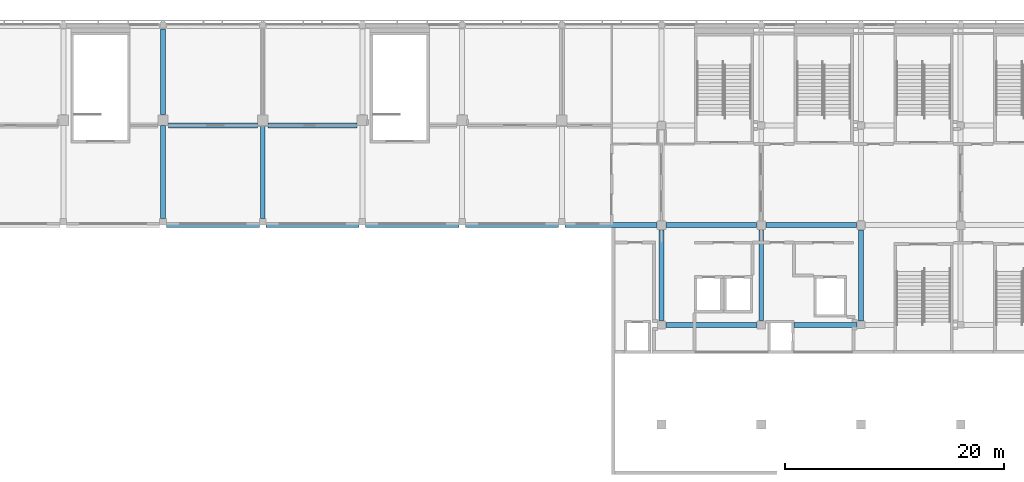
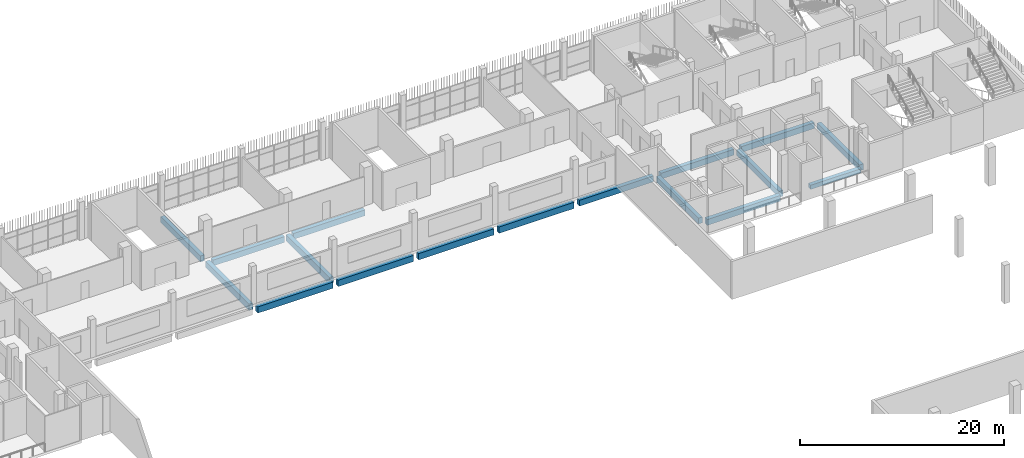
# One storey, part 29 of 104: 17 beams.
"""IFC4 building model written with IfcOpenShell, lengths in metres."""

from ifc_helpers import new_model, si_unit, direction, frame, origin, origin_2d, place, context, subcontext, project, spatial, rectangle, extrude, material, material_profile, profile_set, type_object, element, save


model = new_model("IFC4")

# Units and contexts
model_context = context("Model", 3, precision=1e-05, world=origin(), true_north=direction((0.0, 1.0)))
body_context = subcontext(model_context, "Body", "Model", "MODEL_VIEW")
ifc_project = project(units=[si_unit("LENGTHUNIT", "METRE"), si_unit("AREAUNIT", "SQUARE_METRE"), si_unit("VOLUMEUNIT", "CUBIC_METRE"), si_unit("PLANEANGLEUNIT", "RADIAN"), si_unit("MASSUNIT", "GRAM", prefix="KILO")], contexts=[model_context])

# Site, building, storey
site_placement = place(None, origin())
site = spatial("IfcSite", under=ifc_project, at=site_placement, CompositionType="ELEMENT")
building_placement = place(site_placement, origin())
building = spatial("IfcBuilding", under=site, at=building_placement, Name="Shirokan Park Arena", CompositionType="ELEMENT")
storey_placement = place(building_placement, frame((0.0, 0.0, 10.919921875)))
storey = spatial("IfcBuildingStorey", under=building, at=storey_placement, Name="L02", CompositionType="ELEMENT", Elevation=10.919921875)

# Beams
ifc_material = material(Name="Concrete C35", Category="concrete")
ifc_material_profile_1 = material_profile(ifc_material, rectangle(XDim=0.449951171875, YDim=0.5, at=origin_2d()), Name="450x500")
ifc_profile_set_1 = profile_set([ifc_material_profile_1], Name="Concrete C35")
beam_type_1 = type_object("IfcBeamType", Name="RC girder 450x500", PredefinedType="BEAM", material=ifc_profile_set_1)
beam_1_placement = place(storey_placement, frame((121.300048828125, 81.89990234375, -0.5498046875), z_axis=(1.0, 0.0, 0.0), x_axis=(0.0, 1.0, 0.0)))
element("IfcBeam", 1, at=beam_1_placement, inside=storey, type_object=beam_type_1, Name="Girder 14K-15K L02", PredefinedType="BEAM", context=body_context, shape_type="SweptSolid", body=[
    extrude(rectangle(XDim=0.449951171875, YDim=0.5, at=origin_2d()), origin(), (0.0, 0.0, 1.0), 5.724853515625),
])
ifc_material_profile_2 = material_profile(ifc_material, rectangle(XDim=0.449951171875, YDim=0.699951171875, at=origin_2d()), Name="450x700")
ifc_profile_set_2 = profile_set([ifc_material_profile_2], Name="Concrete C35")
beam_type_2 = type_object("IfcBeamType", Name="RC girder 450x700", PredefinedType="BEAM", material=ifc_profile_set_2)
beam_2_placement = place(storey_placement, frame((64.2001953125, 100.10009765625, -0.64990234375), z_axis=(1.0, 0.0, 0.0), x_axis=(0.0, 1.0, 0.0)))
element("IfcBeam", 2, at=beam_2_placement, inside=storey, type_object=beam_type_2, Name="Girder 8M-9M L02", PredefinedType="BEAM", context=body_context, shape_type="SweptSolid", body=[
    extrude(rectangle(XDim=0.449951171875, YDim=0.699951171875, at=origin_2d()), origin(), (0.0, 0.0, 1.0), 8.099609375),
])
beam_3_placement = place(storey_placement, frame((73.300048828125, 100.10009765625, -0.64990234375), z_axis=(1.0, 0.0, 0.0), x_axis=(0.0, 1.0, 0.0)))
element("IfcBeam", 3, at=beam_3_placement, inside=storey, type_object=beam_type_2, Name="Girder 9M-10M L02", PredefinedType="BEAM", context=body_context, shape_type="SweptSolid", body=[
    extrude(rectangle(XDim=0.449951171875, YDim=0.699951171875, at=origin_2d()), origin(), (0.0, 0.0, 1.0), 8.099853515625),
])
beam_4_placement = place(storey_placement, frame((100.400146484375, 91.0, -0.64990234375), z_axis=(1.0, 0.0, 0.0), x_axis=(0.0, 1.0, 0.0)))
element("IfcBeam", 4, at=beam_4_placement, inside=storey, type_object=beam_type_2, Name="Girder 12L-13L L02", PredefinedType="BEAM", context=body_context, shape_type="SweptSolid", body=[
    extrude(rectangle(XDim=0.449951171875, YDim=0.699951171875, at=origin_2d()), origin(), (0.0, 0.0, 1.0), 8.374755859375),
])
beam_5_placement = place(storey_placement, frame((109.60009765625, 81.89990234375, -0.64990234375), z_axis=(1.0, 0.0, 0.0), x_axis=(0.0, 1.0, 0.0)))
element("IfcBeam", 5, at=beam_5_placement, inside=storey, type_object=beam_type_2, Name="Girder 13K-14K L02", PredefinedType="BEAM", context=body_context, shape_type="SweptSolid", body=[
    extrude(rectangle(XDim=0.449951171875, YDim=0.699951171875, at=origin_2d()), origin(), (0.0, 0.0, 1.0), 8.2998046875),
])
beam_6_placement = place(storey_placement, frame((109.625, 91.0, -0.64990234375), z_axis=(1.0, 0.0, 0.0), x_axis=(0.0, 1.0, 0.0)))
element("IfcBeam", 6, at=beam_6_placement, inside=storey, type_object=beam_type_2, Name="Girder 13L-14L L02", PredefinedType="BEAM", context=body_context, shape_type="SweptSolid", body=[
    extrude(rectangle(XDim=0.449951171875, YDim=0.699951171875, at=origin_2d()), origin(), (0.0, 0.0, 1.0), 8.25),
])
beam_7_placement = place(storey_placement, frame((118.72509765625, 91.0, -0.64990234375), z_axis=(1.0, 0.0, 0.0), x_axis=(0.0, 1.0, 0.0)))
element("IfcBeam", 7, at=beam_7_placement, inside=storey, type_object=beam_type_2, Name="Girder 14L-15L L02", PredefinedType="BEAM", context=body_context, shape_type="SweptSolid", body=[
    extrude(rectangle(XDim=0.449951171875, YDim=0.699951171875, at=origin_2d()), origin(), (0.0, 0.0, 1.0), 8.249755859375),
])
beam_8_placement = place(storey_placement, frame((63.699951171875, 101.10009765625, -0.64990234375), z_axis=(0.0, 1.0, 0.0), x_axis=(-1.0, 0.0, 0.0)))
element("IfcBeam", 8, at=beam_8_placement, inside=storey, type_object=beam_type_2, Name="Girder 8M-8N L02", PredefinedType="BEAM", context=body_context, shape_type="SweptSolid", body=[
    extrude(rectangle(XDim=0.449951171875, YDim=0.699951171875, at=origin_2d()), origin(), (0.0, 0.0, 1.0), 7.82470703125),
])
for number, where, z_axis, x_axis, name in (
    (9, (109.199951171875, 82.300048828125, -0.64990234375), (0.0, 1.0, 0.0), (-1.0, 0.0, 0.0), "Girder 13K-13L L02"),
    (10, (118.300048828125, 82.300048828125, -0.64990234375), (0.0, 1.0, 0.0), (-1.0, 0.0, 0.0), "Girder 14K-14L L02"),
):
    element("IfcBeam", number, at=place(storey_placement, frame(where, z_axis=z_axis, x_axis=x_axis)), inside=storey, type_object=beam_type_2, Name=name, PredefinedType="BEAM", context=body_context, shape_type="SweptSolid", body=[
        extrude(rectangle(XDim=0.449951171875, YDim=0.699951171875, at=origin_2d()), origin(), (0.0, 0.0, 1.0), 8.27490234375),
    ])
beam_9_placement = place(storey_placement, frame((127.39990234375, 82.275146484375, -0.64990234375), z_axis=(0.0, 1.0, 0.0), x_axis=(-1.0, 0.0, 0.0)))
element("IfcBeam", 11, at=beam_9_placement, inside=storey, type_object=beam_type_2, Name="Girder 15K-15L L02", PredefinedType="BEAM", context=body_context, shape_type="SweptSolid", body=[
    extrude(rectangle(XDim=0.449951171875, YDim=0.699951171875, at=origin_2d()), origin(), (0.0, 0.0, 1.0), 8.2998046875),
])
ifc_material_profile_3 = material_profile(ifc_material, rectangle(XDim=0.449951171875, YDim=0.75, at=origin_2d()), Name="450x750")
ifc_profile_set_3 = profile_set([ifc_material_profile_3], Name="Concrete C35")
beam_type_3 = type_object("IfcBeamType", Name="RC girder 450x750", PredefinedType="BEAM", material=ifc_profile_set_3)
beam_10_placement = place(storey_placement, frame((64.0, 91.0, -0.6748046875), z_axis=(1.0, 0.0, 0.0), x_axis=(0.0, 1.0, 0.0)))
element("IfcBeam", 12, at=beam_10_placement, inside=storey, type_object=beam_type_3, Name="Girder 8L-9L L02", PredefinedType="BEAM", context=body_context, shape_type="SweptSolid", body=[
    extrude(rectangle(XDim=0.449951171875, YDim=0.75, at=origin_2d()), origin(), (0.0, 0.0, 1.0), 8.5),
])
for number, where, z_axis, x_axis, name in (
    (13, (73.10009765625, 91.0, -0.6748046875), (1.0, 0.0, 0.0), (0.0, 1.0, 0.0), "Girder 9L-10L L02"),
    (14, (82.2001953125, 91.0, -0.6748046875), (1.0, 0.0, 0.0), (0.0, 1.0, 0.0), "Girder 10L-11L L02"),
    (15, (91.300048828125, 91.0, -0.6748046875), (1.0, 0.0, 0.0), (0.0, 1.0, 0.0), "Girder 11L-12L L02"),
    (16, (63.699951171875, 91.60009765625, -0.6748046875), (0.0, 1.0, 0.0), (-1.0, 0.0, 0.0), "Girder 8L-8M L02"),
    (17, (72.800048828125, 91.60009765625, -0.6748046875), (0.0, 1.0, 0.0), (-1.0, 0.0, 0.0), "Girder 9L-9M L02"),
):
    element("IfcBeam", number, at=place(storey_placement, frame(where, z_axis=z_axis, x_axis=x_axis)), inside=storey, type_object=beam_type_3, Name=name, PredefinedType="BEAM", context=body_context, shape_type="SweptSolid", body=[
        extrude(rectangle(XDim=0.449951171875, YDim=0.75, at=origin_2d()), origin(), (0.0, 0.0, 1.0), 8.499755859375),
    ])

save(model, "model.ifc")
